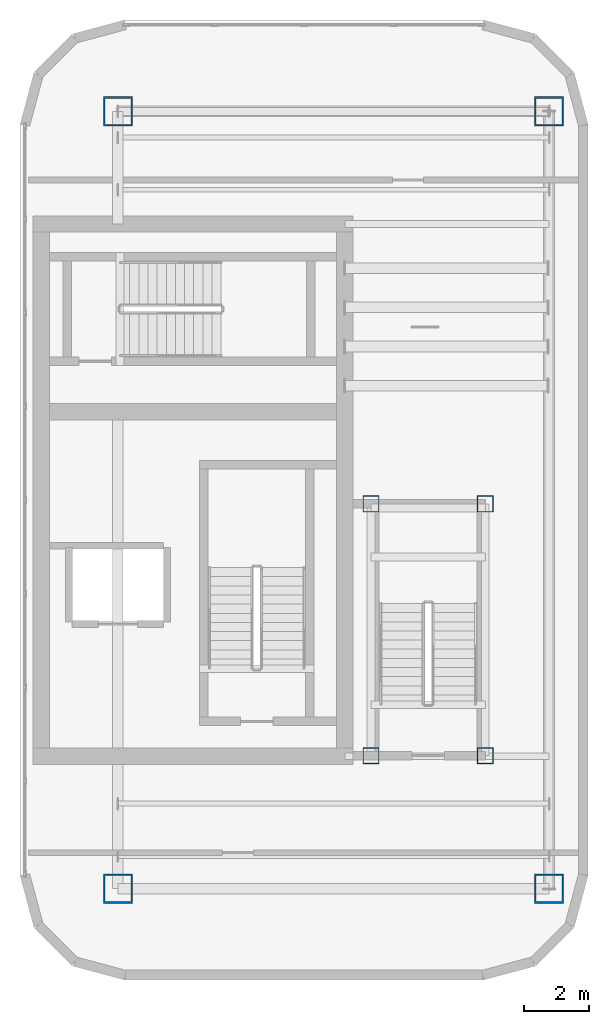
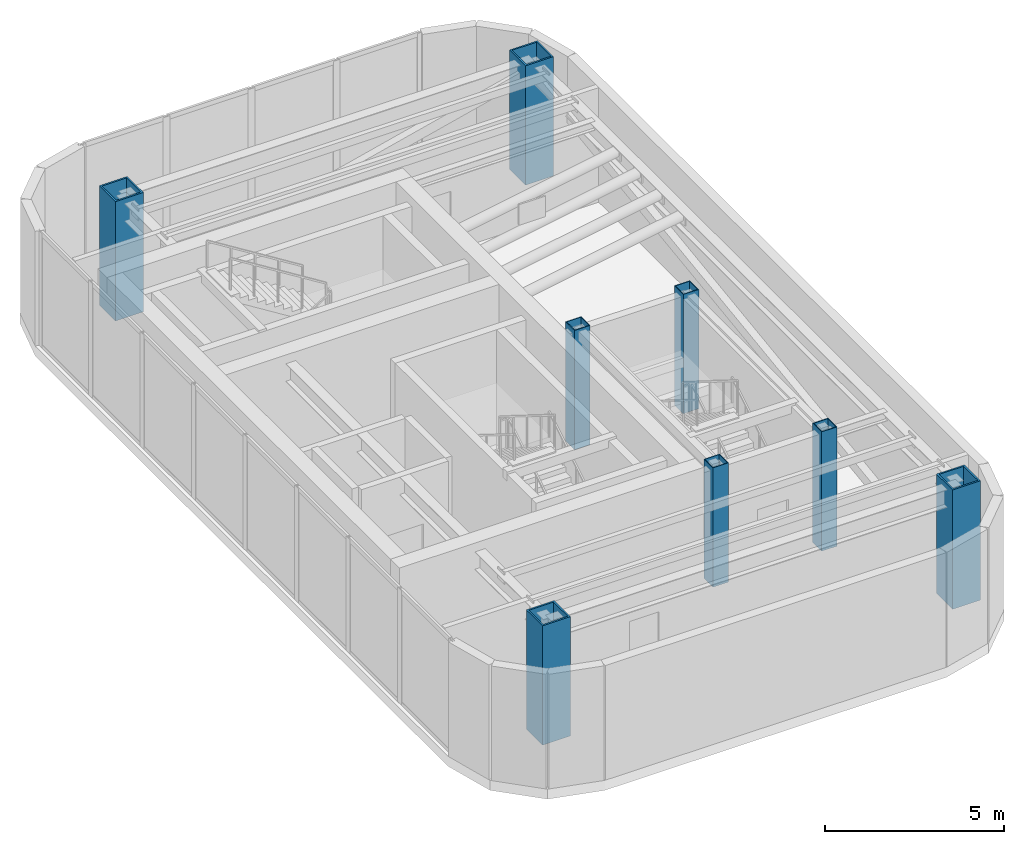
# One storey, part 1 of 9: 8 columns.
"""IFC4 building model written with IfcOpenShell, lengths in metres."""

from ifc_helpers import new_model, si_unit, direction, frame, origin, origin_2d, place, context, subcontext, project, spatial, hollow_rectangle, extrude, material, material_profile, profile_set, type_object, element, save


model = new_model("IFC4")

# Units and contexts
model_context = context("Model", 3, precision=1e-05, world=origin(), true_north=direction((0.0, 1.0)))
body_context = subcontext(model_context, "Body", "Model", "MODEL_VIEW")
ifc_project = project(units=[si_unit("LENGTHUNIT", "METRE"), si_unit("AREAUNIT", "SQUARE_METRE"), si_unit("VOLUMEUNIT", "CUBIC_METRE"), si_unit("PLANEANGLEUNIT", "RADIAN"), si_unit("MASSUNIT", "GRAM", prefix="KILO")], contexts=[model_context])

# Site, building, storey
site_placement = place(None, origin())
site = spatial("IfcSite", under=ifc_project, at=site_placement, CompositionType="ELEMENT")
building_placement = place(site_placement, origin())
building = spatial("IfcBuilding", under=site, at=building_placement, Name="Kiyonajd Concourse Tower", CompositionType="ELEMENT")
storey_placement = place(building_placement, frame((0.0, 0.0, 372.89990234375)))
storey = spatial("IfcBuildingStorey", under=building, at=storey_placement, Name="L93", CompositionType="ELEMENT", Elevation=372.89990234375)

# Columns
ifc_material = material(Name="Steel ASTM A572 Grade 50", Category="steel")
ifc_material_profile_1 = material_profile(ifc_material, hollow_rectangle(XDim=0.89990234375, YDim=0.89990234375, WallThickness=0.054931640625, at=origin_2d()), Name="BOX-900x900x55")
ifc_profile_set_1 = profile_set([ifc_material_profile_1], Name="Steel ASTM A572 Grade 50")
column_type_1 = type_object("IfcColumnType", Name="CL-CRN-BOX", PredefinedType="COLUMN", material=ifc_profile_set_1)
for number, where, z_axis, x_axis, name in (
    (1, (56.39990234375, 23.800048828125, 0.0), (0.0, 0.0, 1.0), (1.0, 0.0, 0.0), "L93 East Crown Frame Column"),
    (2, (69.60009765625, 23.800048828125, 0.0), (0.0, 0.0, 1.0), (1.0, 0.0, 0.0), "L93 East Crown Frame Column"),
    (3, (69.60009765625, 47.60009765625, 0.0), (0.0, 0.0, 1.0), (1.0, 0.0, 0.0), "L93 East Crown Frame Column"),
    (4, (56.39990234375, 47.60009765625, 0.0), (0.0, 0.0, 1.0), (1.0, 0.0, 0.0), "L93 East Crown Frame Column"),
):
    element("IfcColumn", number, at=place(storey_placement, frame(where, z_axis=z_axis, x_axis=x_axis)), inside=storey, type_object=column_type_1, Name=name, PredefinedType="COLUMN", context=body_context, shape_type="SweptSolid", body=[
        extrude(hollow_rectangle(XDim=0.89990234375, YDim=0.89990234375, WallThickness=0.054931640625, at=origin_2d()), origin(), (0.0, 0.0, 1.0), 4.06005859375),
    ])
ifc_material_profile_2 = material_profile(ifc_material, hollow_rectangle(XDim=0.5, YDim=0.5, WallThickness=0.02490234375, at=origin_2d()), Name="HSS-500x500x25")
ifc_profile_set_2 = profile_set([ifc_material_profile_2], Name="Steel ASTM A572 Grade 50")
column_type_2 = type_object("IfcColumnType", Name="CL-PIL-600", PredefinedType="PILASTER", material=ifc_profile_set_2)
for number, where, z_axis, x_axis, name in (
    (5, (64.14990234375, 27.8701171875, 0.0), (0.0, 0.0, 1.0), (1.0, 0.0, 0.0), "L93 Crown Stair Support Column"),
    (6, (67.64990234375, 27.8701171875, 0.0), (0.0, 0.0, 1.0), (1.0, 0.0, 0.0), "L93 Crown Stair Support Column"),
    (7, (64.14990234375, 35.580078125, 0.0), (0.0, 0.0, 1.0), (1.0, 0.0, 0.0), "L93 Crown Stair Support Column"),
    (8, (67.64990234375, 35.580078125, 0.0), (0.0, 0.0, 1.0), (1.0, 0.0, 0.0), "L93 Crown Stair Support Column"),
):
    element("IfcColumn", number, at=place(storey_placement, frame(where, z_axis=z_axis, x_axis=x_axis)), inside=storey, type_object=column_type_2, Name=name, PredefinedType="PILASTER", context=body_context, shape_type="SweptSolid", body=[
        extrude(hollow_rectangle(XDim=0.5, YDim=0.5, WallThickness=0.02490234375, at=origin_2d()), origin(), (0.0, 0.0, 1.0), 4.06005859375),
    ])

save(model, "model.ifc")
